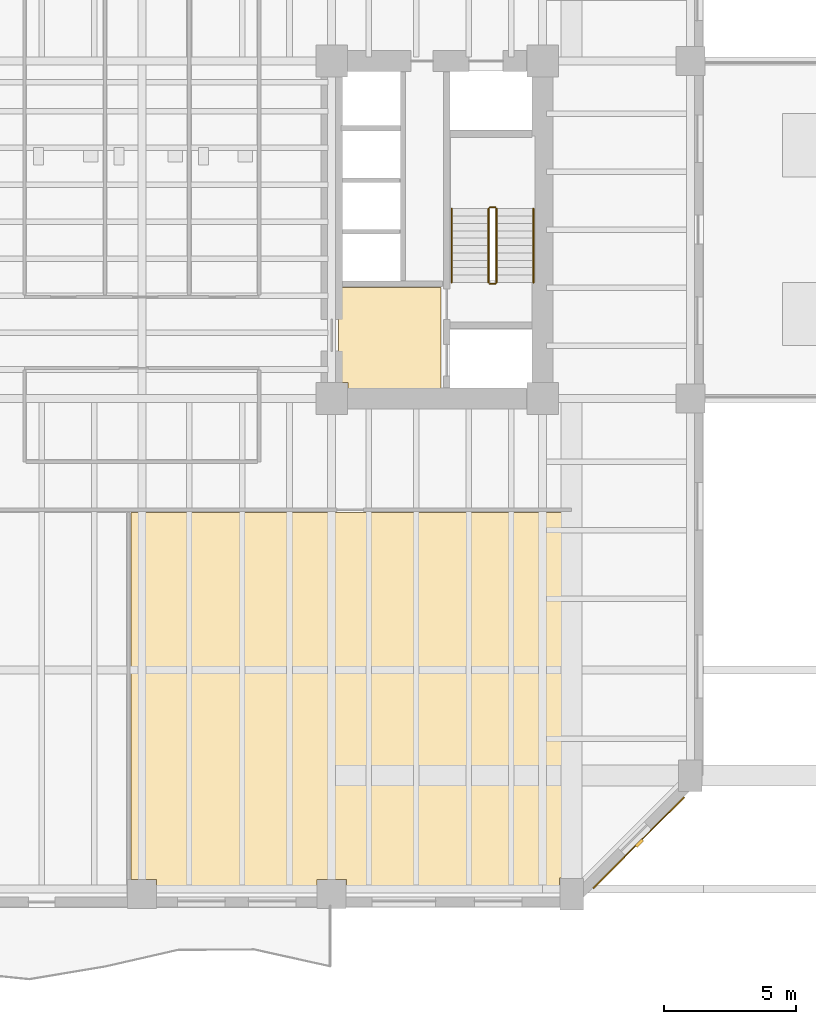
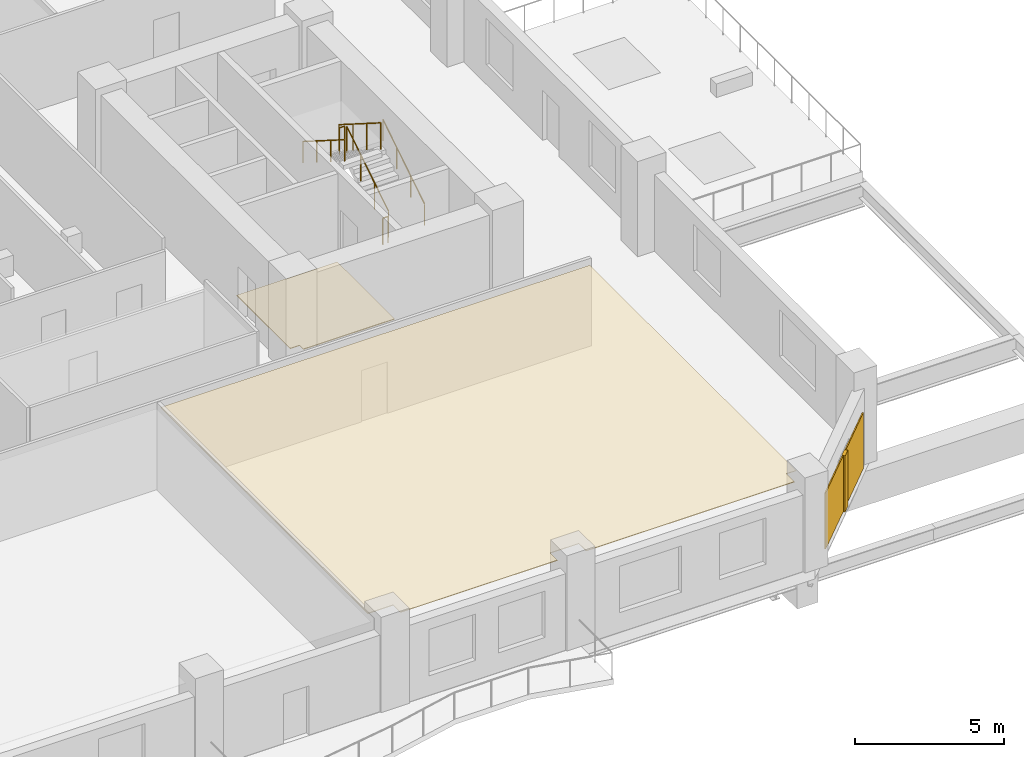
# One storey, part 9 of 11: 6 railings, 3 coverings, 1 shading device.
"""IFC4 building model written with IfcOpenShell, lengths in metres."""

from ifc_helpers import new_model, si_unit, direction, frame, origin, origin_2d, place, context, subcontext, project, spatial, polyline, rectangle, circle, outline, extrude, material, layer, layer_set, type_object, element, save


model = new_model("IFC4")

# Units and contexts
model_context = context("Model", 3, precision=1e-05, world=origin(), true_north=direction((0.0, 1.0)))
body_context = subcontext(model_context, "Body", "Model", "MODEL_VIEW")
ifc_project = project(units=[si_unit("LENGTHUNIT", "METRE"), si_unit("AREAUNIT", "SQUARE_METRE"), si_unit("VOLUMEUNIT", "CUBIC_METRE"), si_unit("PLANEANGLEUNIT", "RADIAN"), si_unit("MASSUNIT", "GRAM", prefix="KILO")], contexts=[model_context])

# Site, building, storey
site_placement = place(None, origin())
site = spatial("IfcSite", under=ifc_project, at=site_placement, CompositionType="ELEMENT")
building_placement = place(site_placement, origin())
building = spatial("IfcBuilding", under=site, at=building_placement, Name="Kranthara Brick Stack", CompositionType="ELEMENT")
storey_placement = place(building_placement, frame((0.0, 0.0, 24.300048828125)))
storey = spatial("IfcBuildingStorey", under=building, at=storey_placement, Name="L05", CompositionType="ELEMENT", Elevation=24.300048828125)

# Coverings
ifc_material_1 = material(Name="Perforated mineral-fibre acoustic ceiling tile", Category="other")
ifc_layer_1 = layer(ifc_material_1, 0.02490234375)
ifc_layer_set_1 = layer_set([ifc_layer_1], Name="Perforated mineral-fibre acoustic ceiling tile")
covering_type_1 = type_object("IfcCoveringType", Name="COV-CEIL-ACOUSTIC", PredefinedType="CEILING", material=ifc_layer_set_1)
covering_1_placement = place(storey_placement, frame((0.0, 0.0, 3.329833984375)))
element("IfcCovering", 1, at=covering_1_placement, inside=storey, type_object=covering_type_1, Name="L05 L05 Collaboration Lounge 2 Acoustic Ceiling", PredefinedType="CEILING", context=body_context, shape_type="SweptSolid", body=[
    extrude(outline(polyline([(44.219970703125, 2.610107421875), (43.840087890625, 2.610107421875), (43.840087890625, 2.070068359375), (35.760009765625, 2.070068359375), (35.760009765625, 2.56005859375), (34.639892578125, 2.56005859375), (34.639892578125, 2.070068359375), (28.56005859375, 2.070068359375), (28.56005859375, 2.56005859375), (27.580078125, 2.56005859375), (27.580078125, 16.47998046875), (44.219970703125, 16.47998046875), (44.219970703125, 2.610107421875)])), origin(), (0.0, 0.0, 1.0), 0.025146484375),
])
ifc_material_2 = material(Name="Warm buff kiln-fired brick slip rainscreen", Category="masonry")
ifc_layer_2 = layer(ifc_material_2, 0.044921875)
ifc_layer_set_2 = layer_set([ifc_layer_2], Name="Warm buff kiln-fired brick slip rainscreen")
covering_type_2 = type_object("IfcCoveringType", Name="COV-CLAD-BRICK", PredefinedType="CLADDING", material=ifc_layer_set_2)
covering_2_placement = place(storey_placement, frame((46.843505859375, 3.95654296875, 0.0498046875), z_axis=(0.0, 0.0, 1.0), x_axis=(-0.707106781187, -0.707106781187, 0.0)))
element("IfcCovering", 2, at=covering_2_placement, inside=storey, type_object=covering_type_2, Name="L05 Chamfer Brick Rainscreen Cladding SE", PredefinedType="CLADDING", context=body_context, shape_type="SweptSolid", body=[
    extrude(rectangle(XDim=4.876953125, YDim=0.044921875, at=origin_2d()), origin(), (0.0, 0.0, 1.0), 2.300048828125),
])
ifc_material_3 = material(Name="Honed terrazzo and porcelain floor finish", Category="stone")
ifc_layer_3 = layer(ifc_material_3, 0.030029296875)
ifc_layer_set_3 = layer_set([ifc_layer_3], Name="Honed terrazzo and porcelain floor finish")
covering_type_3 = type_object("IfcCoveringType", Name="COV-FLOR-STONE", PredefinedType="FLOORING", material=ifc_layer_set_3)
covering_3_placement = place(storey_placement, origin())
element("IfcCovering", 3, at=covering_3_placement, inside=storey, type_object=covering_type_3, Name="L05 Lift Lobby Stone Flooring", PredefinedType="FLOORING", context=body_context, shape_type="SweptSolid", body=[
    extrude(outline(polyline([(35.449951171875, 25.0), (39.35009765625, 25.0), (39.35009765625, 21.14990234375), (35.81005859375, 21.14990234375), (35.81005859375, 21.409912109375), (35.449951171875, 21.409912109375), (35.449951171875, 25.0)])), origin(), (0.0, 0.0, 1.0), 0.030029296875),
])

# Railings
ifc_material_4 = material(Name="Painted galvanized steel stair guardrail", Category="steel")
railing_type_1 = type_object("IfcRailingType", Name="RL-STAIR-GUARD-1100", PredefinedType="GUARDRAIL", material=ifc_material_4)
railing_1_placement = place(storey_placement, frame((41.449951171875, 25.199951171875, 0.17724609375)))
element("IfcRailing", 4, at=railing_1_placement, inside=storey, type_object=railing_type_1, Name="L05 ST02 stair guard 1", PredefinedType="GUARDRAIL", context=body_context, shape_type="SweptSolid", body=[
    extrude(circle(Radius=0.02392578125, at=origin_2d()), frame((0.0, 0.0, 1.076171875), z_axis=(0.0, 0.844908973607, 0.534910110503), x_axis=(-1.0, 0.0, 0.0)), (0.0, 0.0, 1.0), 3.31396484375),
    extrude(circle(Radius=0.02099609375, at=origin_2d()), origin(), (0.0, 0.0, 1.0), 1.052001953125),
    extrude(circle(Radius=0.02099609375, at=origin_2d()), frame((0.0, 0.933349609375, 0.5908203125)), (0.0, 0.0, 1.0), 1.052001953125),
    extrude(circle(Radius=0.02099609375, at=origin_2d()), frame((0.0, 1.86669921875, 1.181884765625)), (0.0, 0.0, 1.0), 1.052001953125),
    extrude(circle(Radius=0.02099609375, at=origin_2d()), frame((0.0, 2.800048828125, 1.772705078125)), (0.0, 0.0, 1.0), 1.052001953125),
])
railing_2_placement = place(storey_placement, frame((41.39990234375, 28.050048828125, 1.949951171875)))
element("IfcRailing", 5, at=railing_2_placement, inside=storey, type_object=railing_type_1, Name="L05 ST02 stair guard 2", PredefinedType="GUARDRAIL", context=body_context, shape_type="SweptSolid", body=[
    extrude(circle(Radius=0.02392578125, at=origin_2d()), frame((0.0, 0.0, 1.076171875), z_axis=(-1.0, 0.0, 0.0), x_axis=(0.0, -1.0, 0.0)), (0.0, 0.0, 1.0), 0.199951171875),
    extrude(circle(Radius=0.02099609375, at=origin_2d()), origin(), (0.0, 0.0, 1.0), 1.052001953125),
    extrude(circle(Radius=0.02099609375, at=origin_2d()), frame((-0.199951171875, 0.0, 0.0)), (0.0, 0.0, 1.0), 1.052001953125),
])
railing_3_placement = place(storey_placement, frame((41.14990234375, 28.0, 2.127197265625)))
element("IfcRailing", 6, at=railing_3_placement, inside=storey, type_object=railing_type_1, Name="L05 ST02 stair guard 3", PredefinedType="GUARDRAIL", context=body_context, shape_type="SweptSolid", body=[
    extrude(circle(Radius=0.02392578125, at=origin_2d()), frame((0.0, 0.0, 1.076171875), z_axis=(0.0, -0.844908973607, 0.534910110503), x_axis=(1.0, 0.0, 0.0)), (0.0, 0.0, 1.0), 3.31396484375),
    extrude(circle(Radius=0.02099609375, at=origin_2d()), origin(), (0.0, 0.0, 1.0), 1.052001953125),
    extrude(circle(Radius=0.02099609375, at=origin_2d()), frame((0.0, -0.933349609375, 0.5908203125)), (0.0, 0.0, 1.0), 1.052001953125),
    extrude(circle(Radius=0.02099609375, at=origin_2d()), frame((0.0, -1.86669921875, 1.181884765625)), (0.0, 0.0, 1.0), 1.052001953125),
    extrude(circle(Radius=0.02099609375, at=origin_2d()), frame((0.0, -2.800048828125, 1.772705078125)), (0.0, 0.0, 1.0), 1.052001953125),
])
railing_4_placement = place(storey_placement, frame((41.39990234375, 25.14990234375, 0.0)))
element("IfcRailing", 7, at=railing_4_placement, inside=storey, type_object=railing_type_1, Name="L05 ST02 stair guard 4", PredefinedType="GUARDRAIL", context=body_context, shape_type="SweptSolid", body=[
    extrude(circle(Radius=0.02392578125, at=origin_2d()), frame((0.0, 0.0, 1.076171875), z_axis=(-1.0, 0.0, 0.0), x_axis=(0.0, -1.0, 0.0)), (0.0, 0.0, 1.0), 0.199951171875),
    extrude(circle(Radius=0.02099609375, at=origin_2d()), origin(), (0.0, 0.0, 1.0), 1.052001953125),
    extrude(circle(Radius=0.02099609375, at=origin_2d()), frame((-0.199951171875, 0.0, 0.0)), (0.0, 0.0, 1.0), 1.052001953125),
])
ifc_material_5 = material(Name="Brushed stainless steel tubular handrail", Category="steel")
railing_type_2 = type_object("IfcRailingType", Name="RL-STAIR-HAND-900", PredefinedType="HANDRAIL", material=ifc_material_5)
railing_5_placement = place(storey_placement, frame((42.85009765625, 25.199951171875, 0.17724609375)))
element("IfcRailing", 8, at=railing_5_placement, inside=storey, type_object=railing_type_2, Name="L05 ST02 stair handrail 1", PredefinedType="HANDRAIL", context=body_context, shape_type="SweptSolid", body=[
    extrude(circle(Radius=0.02392578125, at=origin_2d()), frame((0.0, 0.0, 0.8759765625), z_axis=(0.0, 0.844908973607, 0.534910110503), x_axis=(-1.0, 0.0, 0.0)), (0.0, 0.0, 1.0), 3.31396484375),
    extrude(circle(Radius=0.02099609375, at=origin_2d()), origin(), (0.0, 0.0, 1.0), 0.851806640625),
    extrude(circle(Radius=0.02099609375, at=origin_2d()), frame((0.0, 0.933349609375, 0.5908203125)), (0.0, 0.0, 1.0), 0.851806640625),
    extrude(circle(Radius=0.02099609375, at=origin_2d()), frame((0.0, 1.86669921875, 1.181884765625)), (0.0, 0.0, 1.0), 0.851806640625),
    extrude(circle(Radius=0.02099609375, at=origin_2d()), frame((0.0, 2.800048828125, 1.772705078125)), (0.0, 0.0, 1.0), 0.851806640625),
])
railing_6_placement = place(storey_placement, frame((39.75, 28.0, 2.127197265625)))
element("IfcRailing", 9, at=railing_6_placement, inside=storey, type_object=railing_type_2, Name="L05 ST02 stair handrail 2", PredefinedType="HANDRAIL", context=body_context, shape_type="SweptSolid", body=[
    extrude(circle(Radius=0.02392578125, at=origin_2d()), frame((0.0, 0.0, 0.8759765625), z_axis=(0.0, -0.844908973607, 0.534910110503), x_axis=(1.0, 0.0, 0.0)), (0.0, 0.0, 1.0), 3.31396484375),
    extrude(circle(Radius=0.02099609375, at=origin_2d()), origin(), (0.0, 0.0, 1.0), 0.851806640625),
    extrude(circle(Radius=0.02099609375, at=origin_2d()), frame((0.0, -0.933349609375, 0.5908203125)), (0.0, 0.0, 1.0), 0.851806640625),
    extrude(circle(Radius=0.02099609375, at=origin_2d()), frame((0.0, -1.86669921875, 1.181884765625)), (0.0, 0.0, 1.0), 0.851806640625),
    extrude(circle(Radius=0.02099609375, at=origin_2d()), frame((0.0, -2.800048828125, 1.772705078125)), (0.0, 0.0, 1.0), 0.851806640625),
])

# Shading device
ifc_material_6 = material(Name="Kiln-fired terracotta aerodynamic wind fin", Category="masonry")
shading_device_type = type_object("IfcShadingDeviceType", Name="SHD-BAFFLE-CORNER", PredefinedType="SHUTTER", material=ifc_material_6)
shading_device_placement = place(storey_placement, frame((46.86474609375, 3.935302734375, 0.0498046875), z_axis=(0.0, 0.0, 1.0), x_axis=(-0.707106781187, -0.707106781187, 0.0)))
element("IfcShadingDevice", 10, at=shading_device_placement, inside=storey, type_object=shading_device_type, Name="L05 Chamfer Wind-Baffle Fin SE", PredefinedType="SHUTTER", context=body_context, shape_type="SweptSolid", body=[
    extrude(rectangle(XDim=0.35009765625, YDim=0.1201171875, at=origin_2d()), origin(), (0.0, 0.0, 1.0), 2.300048828125),
])

save(model, "model.ifc")
